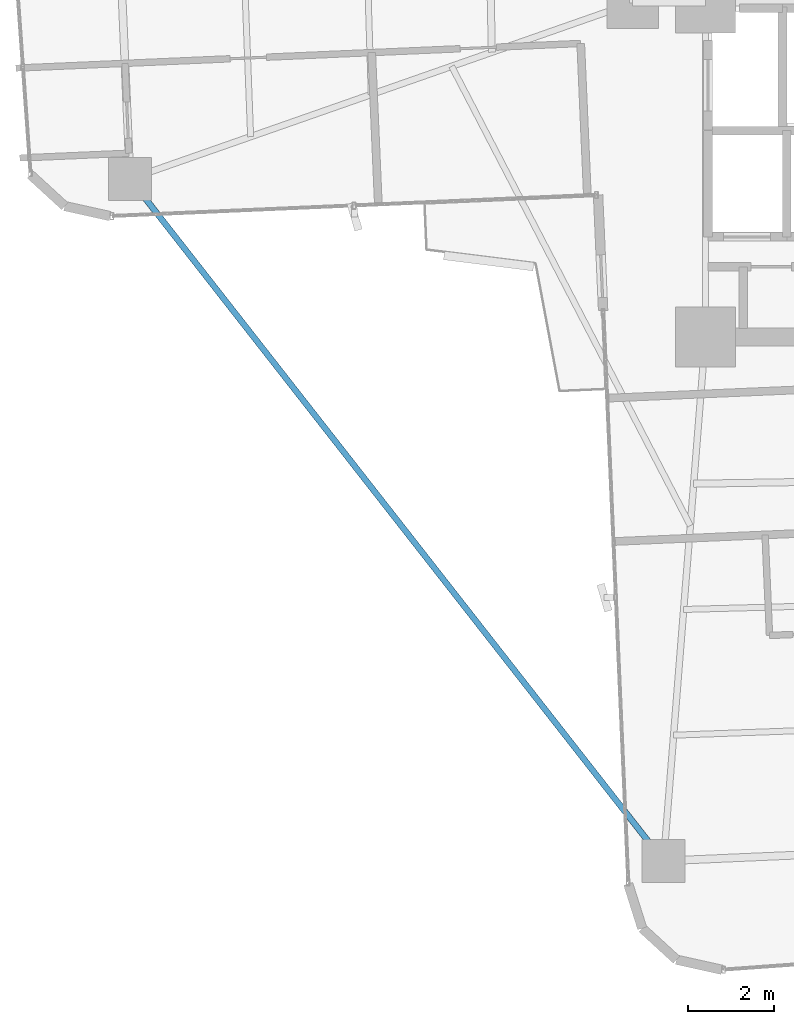
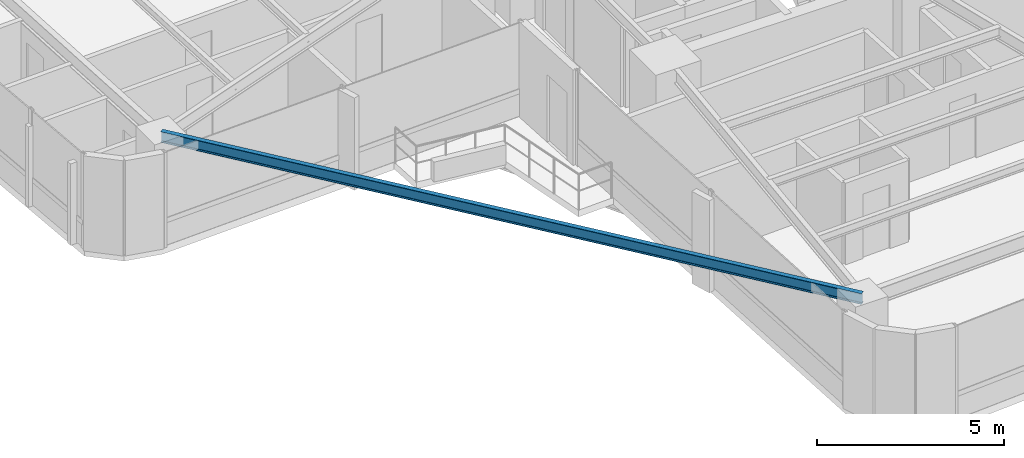
# One storey, part 3 of 26: 1 beam.
"""IFC4 building model written with IfcOpenShell, lengths in metres."""

from ifc_helpers import new_model, si_unit, direction, frame, origin, origin_2d, place, context, subcontext, project, spatial, i_section, extrude, source, transform, mapped, material, material_profile, profile_set, type_object, element, save


model = new_model("IFC4")

# Units and contexts
model_context = context("Model", 3, precision=1e-05, world=origin(), true_north=direction((0.0, 1.0)))
body_context = subcontext(model_context, "Body", "Model", "MODEL_VIEW")
ifc_project = project(units=[si_unit("LENGTHUNIT", "METRE"), si_unit("AREAUNIT", "SQUARE_METRE"), si_unit("VOLUMEUNIT", "CUBIC_METRE"), si_unit("PLANEANGLEUNIT", "RADIAN"), si_unit("MASSUNIT", "GRAM", prefix="KILO")], contexts=[model_context])

# Site, building, storey
site_placement = place(None, origin())
site = spatial("IfcSite", under=ifc_project, at=site_placement, CompositionType="ELEMENT")
building_placement = place(site_placement, origin())
building = spatial("IfcBuilding", under=site, at=building_placement, Name="Sahyath Konkavel Grand Hotel", CompositionType="ELEMENT")
storey_placement = place(building_placement, frame((0.0, 0.0, 100.25)))
storey = spatial("IfcBuildingStorey", under=building, at=storey_placement, Name="L27", CompositionType="ELEMENT", Elevation=100.25)

# Beam
ifc_material = material(Name="Steel E350", Category="steel")
ifc_material_profile = material_profile(ifc_material, i_section(OverallWidth=0.139892578125, OverallDepth=0.35009765625, WebThickness=0.008056640625, FlangeThickness=0.01416015625, FilletRadius=0.013916015625, at=origin_2d()), Name="ISMB 350")
ifc_profile_set = profile_set([ifc_material_profile], Name="Steel E350")
beam_type = type_object("IfcBeamType", Name="BM-ISMB350", PredefinedType="BEAM", material=ifc_profile_set)
shared_shape = source(origin(), body_context, "Body", "SweptSolid", [
    extrude(i_section(OverallWidth=0.139892578125, OverallDepth=0.35009765625, WebThickness=0.008056640625, FlangeThickness=0.01416015625, FilletRadius=0.013916015625, at=origin_2d()), origin(), (0.0, 0.0, 1.0), 20.215576171875),
])
beam_placement = place(storey_placement, frame((-17.232421875, -6.5078125, 2.93505859375), z_axis=(0.616176369687, -0.787608203004, 0.0), x_axis=(0.787608203004, 0.616176369687, 0.0)))
element("IfcBeam", 1, at=beam_placement, inside=storey, type_object=beam_type, Name="L27 Re-Entrant Tie Beam SW", PredefinedType="BEAM", context=body_context, shape_type="MappedRepresentation", body=[
    mapped(shared_shape, transform((0.0, 0.0, 0.0), scale=1.0)),
])

save(model, "model.ifc")
